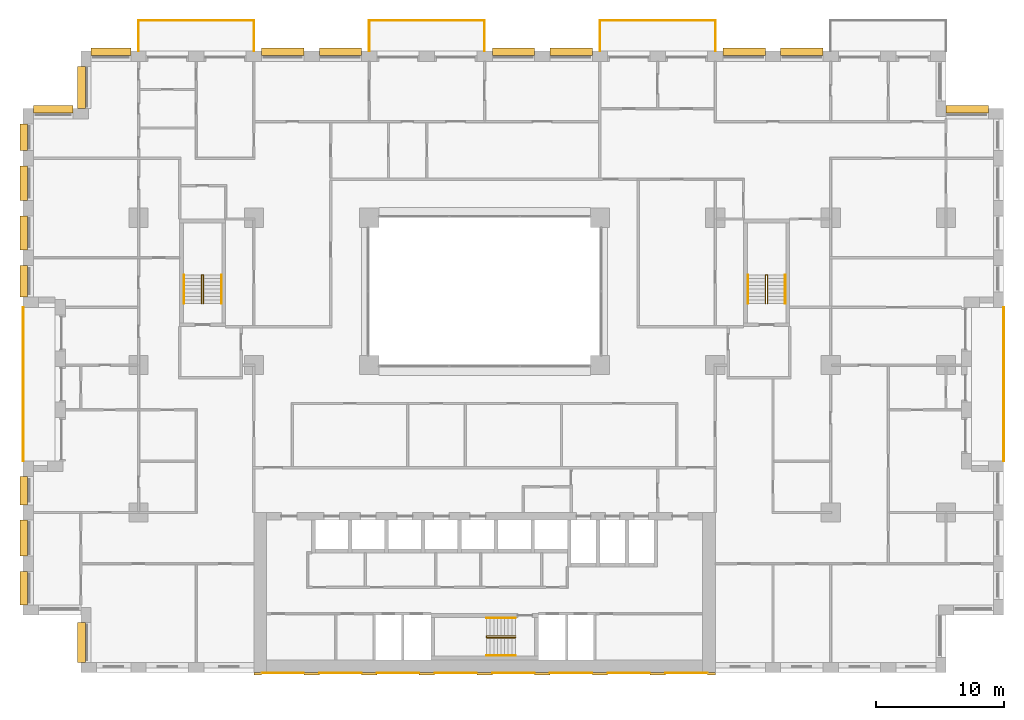
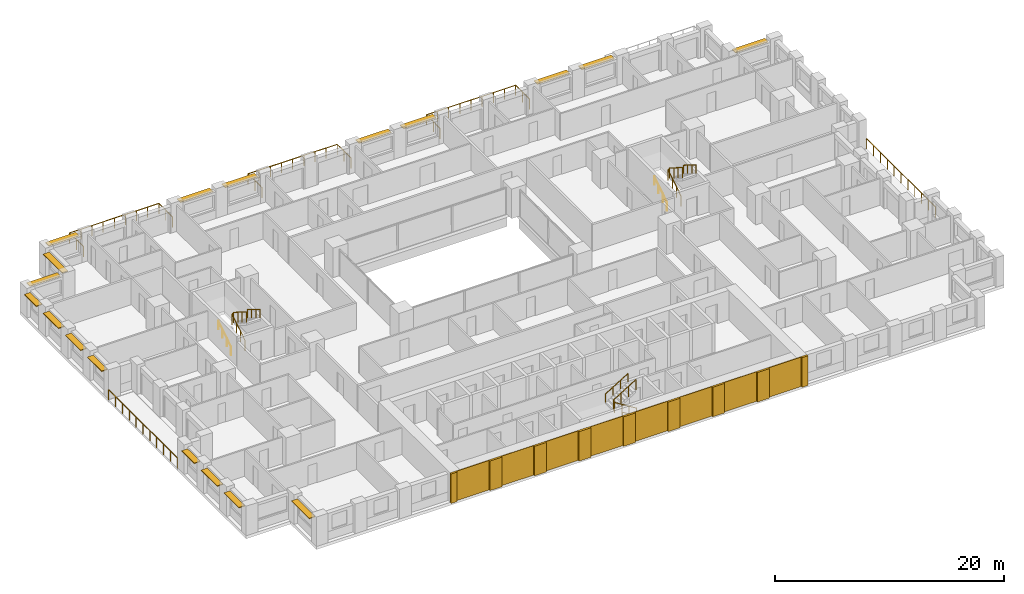
# One storey, part 19 of 20: 18 shading devices, 17 coverings, 14 railings.
"""IFC4 building model written with IfcOpenShell, lengths in metres."""

from ifc_helpers import new_model, si_unit, direction, frame, origin, origin_2d, place, context, subcontext, project, spatial, rectangle, circle, extrude, material, layer, layer_set, type_object, element, save


model = new_model("IFC4")

# Units and contexts
model_context = context("Model", 3, precision=1e-05, world=origin(), true_north=direction((0.0, 1.0)))
body_context = subcontext(model_context, "Body", "Model", "MODEL_VIEW")
ifc_project = project(units=[si_unit("LENGTHUNIT", "METRE"), si_unit("AREAUNIT", "SQUARE_METRE"), si_unit("VOLUMEUNIT", "CUBIC_METRE"), si_unit("PLANEANGLEUNIT", "RADIAN"), si_unit("MASSUNIT", "GRAM", prefix="KILO")], contexts=[model_context])

# Site, building, storey
site_placement = place(None, origin())
site = spatial("IfcSite", under=ifc_project, at=site_placement, CompositionType="ELEMENT")
building_placement = place(site_placement, origin())
building = spatial("IfcBuilding", under=site, at=building_placement, Name="Brigalow Station Residences", CompositionType="ELEMENT")
storey_placement = place(building_placement, frame((0.0, 0.0, 66.75)))
storey = spatial("IfcBuildingStorey", under=building, at=storey_placement, Name="L19", CompositionType="ELEMENT", Elevation=66.75)

# Railings
ifc_material_1 = material(Name="Stainless steel balustrade with laminated glass infill", Category="steel")
railing_type_1 = type_object("IfcRailingType", Name="BALCONY GUARD 1100", PredefinedType="GUARDRAIL", material=ifc_material_1)
railing_1_placement = place(storey_placement, frame((76.5, 16.5, -0.0400390625)))
element("IfcRailing", 1, at=railing_1_placement, inside=storey, type_object=railing_type_1, Name="L19/balcony-guard/1", PredefinedType="GUARDRAIL", context=body_context, shape_type="SweptSolid", body=[
    extrude(circle(Radius=0.02392578125, at=origin_2d()), frame((0.0, 0.0, 1.076171875), z_axis=(0.0, 1.0, 0.0), x_axis=(-1.0, 0.0, 0.0)), (0.0, 0.0, 1.0), 12.0),
    extrude(circle(Radius=0.02099609375, at=origin_2d()), origin(), (0.0, 0.0, 1.0), 1.052001953125),
    extrude(circle(Radius=0.02099609375, at=origin_2d()), frame((0.0, 1.199951171875, 0.0)), (0.0, 0.0, 1.0), 1.052001953125),
    extrude(circle(Radius=0.02099609375, at=origin_2d()), frame((0.0, 2.39990234375, 0.0)), (0.0, 0.0, 1.0), 1.052001953125),
    extrude(circle(Radius=0.02099609375, at=origin_2d()), frame((0.0, 3.60009765625, 0.0)), (0.0, 0.0, 1.0), 1.052001953125),
    extrude(circle(Radius=0.02099609375, at=origin_2d()), frame((0.0, 4.800048828125, 0.0)), (0.0, 0.0, 1.0), 1.052001953125),
    extrude(circle(Radius=0.02099609375, at=origin_2d()), frame((0.0, 6.0, 0.0)), (0.0, 0.0, 1.0), 1.052001953125),
    extrude(circle(Radius=0.02099609375, at=origin_2d()), frame((0.0, 7.199951171875, 0.0)), (0.0, 0.0, 1.0), 1.052001953125),
    extrude(circle(Radius=0.02099609375, at=origin_2d()), frame((0.0, 8.39990234375, 0.0)), (0.0, 0.0, 1.0), 1.052001953125),
    extrude(circle(Radius=0.02099609375, at=origin_2d()), frame((0.0, 9.60009765625, 0.0)), (0.0, 0.0, 1.0), 1.052001953125),
    extrude(circle(Radius=0.02099609375, at=origin_2d()), frame((0.0, 10.800048828125, 0.0)), (0.0, 0.0, 1.0), 1.052001953125),
    extrude(circle(Radius=0.02099609375, at=origin_2d()), frame((0.0, 12.0, 0.0)), (0.0, 0.0, 1.0), 1.052001953125),
])
railing_2_placement = place(storey_placement, frame((54.0, 48.5, -0.0400390625)))
element("IfcRailing", 2, at=railing_2_placement, inside=storey, type_object=railing_type_1, Name="L19/balcony-guard/3", PredefinedType="GUARDRAIL", context=body_context, shape_type="SweptSolid", body=[
    extrude(circle(Radius=0.02392578125, at=origin_2d()), frame((0.0, 0.0, 1.076171875), z_axis=(0.0, 1.0, 0.0), x_axis=(-1.0, 0.0, 0.0)), (0.0, 0.0, 1.0), 2.39990234375),
    extrude(circle(Radius=0.02392578125, at=origin_2d()), frame((0.0, 2.39990234375, 1.076171875), z_axis=(-1.0, 0.0, 0.0), x_axis=(0.0, -1.0, 0.0)), (0.0, 0.0, 1.0), 9.0),
    extrude(circle(Radius=0.02392578125, at=origin_2d()), frame((-9.0, 2.39990234375, 1.076171875), z_axis=(0.0, -1.0, 0.0), x_axis=(1.0, 0.0, 0.0)), (0.0, 0.0, 1.0), 2.39990234375),
    extrude(circle(Radius=0.02099609375, at=origin_2d()), origin(), (0.0, 0.0, 1.0), 1.052001953125),
    extrude(circle(Radius=0.02099609375, at=origin_2d()), frame((0.0, 1.199951171875, 0.0)), (0.0, 0.0, 1.0), 1.052001953125),
    extrude(circle(Radius=0.02099609375, at=origin_2d()), frame((0.0, 2.39990234375, 0.0)), (0.0, 0.0, 1.0), 1.052001953125),
    extrude(circle(Radius=0.02099609375, at=origin_2d()), frame((-1.125, 2.39990234375, 0.0)), (0.0, 0.0, 1.0), 1.052001953125),
    extrude(circle(Radius=0.02099609375, at=origin_2d()), frame((-2.25, 2.39990234375, 0.0)), (0.0, 0.0, 1.0), 1.052001953125),
    extrude(circle(Radius=0.02099609375, at=origin_2d()), frame((-3.375, 2.39990234375, 0.0)), (0.0, 0.0, 1.0), 1.052001953125),
    extrude(circle(Radius=0.02099609375, at=origin_2d()), frame((-4.5, 2.39990234375, 0.0)), (0.0, 0.0, 1.0), 1.052001953125),
    extrude(circle(Radius=0.02099609375, at=origin_2d()), frame((-5.625, 2.39990234375, 0.0)), (0.0, 0.0, 1.0), 1.052001953125),
    extrude(circle(Radius=0.02099609375, at=origin_2d()), frame((-6.75, 2.39990234375, 0.0)), (0.0, 0.0, 1.0), 1.052001953125),
    extrude(circle(Radius=0.02099609375, at=origin_2d()), frame((-7.875, 2.39990234375, 0.0)), (0.0, 0.0, 1.0), 1.052001953125),
    extrude(circle(Radius=0.02099609375, at=origin_2d()), frame((-9.0, 2.39990234375, 0.0)), (0.0, 0.0, 1.0), 1.052001953125),
    extrude(circle(Radius=0.02099609375, at=origin_2d()), frame((-9.0, 1.199951171875, 0.0)), (0.0, 0.0, 1.0), 1.052001953125),
    extrude(circle(Radius=0.02099609375, at=origin_2d()), frame((-9.0, 0.0, 0.0)), (0.0, 0.0, 1.0), 1.052001953125),
])
railing_3_placement = place(storey_placement, frame((36.0, 48.5, -0.0400390625)))
element("IfcRailing", 3, at=railing_3_placement, inside=storey, type_object=railing_type_1, Name="L19/balcony-guard/4", PredefinedType="GUARDRAIL", context=body_context, shape_type="SweptSolid", body=[
    extrude(circle(Radius=0.02392578125, at=origin_2d()), frame((0.0, 0.0, 1.076171875), z_axis=(0.0, 1.0, 0.0), x_axis=(-1.0, 0.0, 0.0)), (0.0, 0.0, 1.0), 2.39990234375),
    extrude(circle(Radius=0.02392578125, at=origin_2d()), frame((0.0, 2.39990234375, 1.076171875), z_axis=(-1.0, 0.0, 0.0), x_axis=(0.0, -1.0, 0.0)), (0.0, 0.0, 1.0), 9.0),
    extrude(circle(Radius=0.02392578125, at=origin_2d()), frame((-9.0, 2.39990234375, 1.076171875), z_axis=(0.0, -1.0, 0.0), x_axis=(1.0, 0.0, 0.0)), (0.0, 0.0, 1.0), 2.39990234375),
    extrude(circle(Radius=0.02099609375, at=origin_2d()), origin(), (0.0, 0.0, 1.0), 1.052001953125),
    extrude(circle(Radius=0.02099609375, at=origin_2d()), frame((0.0, 1.199951171875, 0.0)), (0.0, 0.0, 1.0), 1.052001953125),
    extrude(circle(Radius=0.02099609375, at=origin_2d()), frame((0.0, 2.39990234375, 0.0)), (0.0, 0.0, 1.0), 1.052001953125),
    extrude(circle(Radius=0.02099609375, at=origin_2d()), frame((-1.125, 2.39990234375, 0.0)), (0.0, 0.0, 1.0), 1.052001953125),
    extrude(circle(Radius=0.02099609375, at=origin_2d()), frame((-2.25, 2.39990234375, 0.0)), (0.0, 0.0, 1.0), 1.052001953125),
    extrude(circle(Radius=0.02099609375, at=origin_2d()), frame((-3.375, 2.39990234375, 0.0)), (0.0, 0.0, 1.0), 1.052001953125),
    extrude(circle(Radius=0.02099609375, at=origin_2d()), frame((-4.5, 2.39990234375, 0.0)), (0.0, 0.0, 1.0), 1.052001953125),
    extrude(circle(Radius=0.02099609375, at=origin_2d()), frame((-5.625, 2.39990234375, 0.0)), (0.0, 0.0, 1.0), 1.052001953125),
    extrude(circle(Radius=0.02099609375, at=origin_2d()), frame((-6.75, 2.39990234375, 0.0)), (0.0, 0.0, 1.0), 1.052001953125),
    extrude(circle(Radius=0.02099609375, at=origin_2d()), frame((-7.875, 2.39990234375, 0.0)), (0.0, 0.0, 1.0), 1.052001953125),
    extrude(circle(Radius=0.02099609375, at=origin_2d()), frame((-9.0, 2.39990234375, 0.0)), (0.0, 0.0, 1.0), 1.052001953125),
    extrude(circle(Radius=0.02099609375, at=origin_2d()), frame((-9.0, 1.199951171875, 0.0)), (0.0, 0.0, 1.0), 1.052001953125),
    extrude(circle(Radius=0.02099609375, at=origin_2d()), frame((-9.0, 0.0, 0.0)), (0.0, 0.0, 1.0), 1.052001953125),
])
railing_4_placement = place(storey_placement, frame((18.0, 48.5, -0.0400390625)))
element("IfcRailing", 4, at=railing_4_placement, inside=storey, type_object=railing_type_1, Name="L19/balcony-guard/5", PredefinedType="GUARDRAIL", context=body_context, shape_type="SweptSolid", body=[
    extrude(circle(Radius=0.02392578125, at=origin_2d()), frame((0.0, 0.0, 1.076171875), z_axis=(0.0, 1.0, 0.0), x_axis=(-1.0, 0.0, 0.0)), (0.0, 0.0, 1.0), 2.39990234375),
    extrude(circle(Radius=0.02392578125, at=origin_2d()), frame((0.0, 2.39990234375, 1.076171875), z_axis=(-1.0, 0.0, 0.0), x_axis=(0.0, -1.0, 0.0)), (0.0, 0.0, 1.0), 9.0),
    extrude(circle(Radius=0.02392578125, at=origin_2d()), frame((-9.0, 2.39990234375, 1.076171875), z_axis=(0.0, -1.0, 0.0), x_axis=(1.0, 0.0, 0.0)), (0.0, 0.0, 1.0), 2.39990234375),
    extrude(circle(Radius=0.02099609375, at=origin_2d()), origin(), (0.0, 0.0, 1.0), 1.052001953125),
    extrude(circle(Radius=0.02099609375, at=origin_2d()), frame((0.0, 1.199951171875, 0.0)), (0.0, 0.0, 1.0), 1.052001953125),
    extrude(circle(Radius=0.02099609375, at=origin_2d()), frame((0.0, 2.39990234375, 0.0)), (0.0, 0.0, 1.0), 1.052001953125),
    extrude(circle(Radius=0.02099609375, at=origin_2d()), frame((-1.125, 2.39990234375, 0.0)), (0.0, 0.0, 1.0), 1.052001953125),
    extrude(circle(Radius=0.02099609375, at=origin_2d()), frame((-2.25, 2.39990234375, 0.0)), (0.0, 0.0, 1.0), 1.052001953125),
    extrude(circle(Radius=0.02099609375, at=origin_2d()), frame((-3.375, 2.39990234375, 0.0)), (0.0, 0.0, 1.0), 1.052001953125),
    extrude(circle(Radius=0.02099609375, at=origin_2d()), frame((-4.5, 2.39990234375, 0.0)), (0.0, 0.0, 1.0), 1.052001953125),
    extrude(circle(Radius=0.02099609375, at=origin_2d()), frame((-5.625, 2.39990234375, 0.0)), (0.0, 0.0, 1.0), 1.052001953125),
    extrude(circle(Radius=0.02099609375, at=origin_2d()), frame((-6.75, 2.39990234375, 0.0)), (0.0, 0.0, 1.0), 1.052001953125),
    extrude(circle(Radius=0.02099609375, at=origin_2d()), frame((-7.875, 2.39990234375, 0.0)), (0.0, 0.0, 1.0), 1.052001953125),
    extrude(circle(Radius=0.02099609375, at=origin_2d()), frame((-9.0, 2.39990234375, 0.0)), (0.0, 0.0, 1.0), 1.052001953125),
    extrude(circle(Radius=0.02099609375, at=origin_2d()), frame((-9.0, 1.199951171875, 0.0)), (0.0, 0.0, 1.0), 1.052001953125),
    extrude(circle(Radius=0.02099609375, at=origin_2d()), frame((-9.0, 0.0, 0.0)), (0.0, 0.0, 1.0), 1.052001953125),
])
railing_5_placement = place(storey_placement, frame((0.0, 28.5, -0.0400390625)))
element("IfcRailing", 5, at=railing_5_placement, inside=storey, type_object=railing_type_1, Name="L19/balcony-guard/6", PredefinedType="GUARDRAIL", context=body_context, shape_type="SweptSolid", body=[
    extrude(circle(Radius=0.02392578125, at=origin_2d()), frame((0.0, 0.0, 1.076171875), z_axis=(0.0, -1.0, 0.0), x_axis=(1.0, 0.0, 0.0)), (0.0, 0.0, 1.0), 12.0),
    extrude(circle(Radius=0.02099609375, at=origin_2d()), origin(), (0.0, 0.0, 1.0), 1.052001953125),
    extrude(circle(Radius=0.02099609375, at=origin_2d()), frame((0.0, -1.199951171875, 0.0)), (0.0, 0.0, 1.0), 1.052001953125),
    extrude(circle(Radius=0.02099609375, at=origin_2d()), frame((0.0, -2.39990234375, 0.0)), (0.0, 0.0, 1.0), 1.052001953125),
    extrude(circle(Radius=0.02099609375, at=origin_2d()), frame((0.0, -3.60009765625, 0.0)), (0.0, 0.0, 1.0), 1.052001953125),
    extrude(circle(Radius=0.02099609375, at=origin_2d()), frame((0.0, -4.800048828125, 0.0)), (0.0, 0.0, 1.0), 1.052001953125),
    extrude(circle(Radius=0.02099609375, at=origin_2d()), frame((0.0, -6.0, 0.0)), (0.0, 0.0, 1.0), 1.052001953125),
    extrude(circle(Radius=0.02099609375, at=origin_2d()), frame((0.0, -7.199951171875, 0.0)), (0.0, 0.0, 1.0), 1.052001953125),
    extrude(circle(Radius=0.02099609375, at=origin_2d()), frame((0.0, -8.39990234375, 0.0)), (0.0, 0.0, 1.0), 1.052001953125),
    extrude(circle(Radius=0.02099609375, at=origin_2d()), frame((0.0, -9.60009765625, 0.0)), (0.0, 0.0, 1.0), 1.052001953125),
    extrude(circle(Radius=0.02099609375, at=origin_2d()), frame((0.0, -10.800048828125, 0.0)), (0.0, 0.0, 1.0), 1.052001953125),
    extrude(circle(Radius=0.02099609375, at=origin_2d()), frame((0.0, -12.0, 0.0)), (0.0, 0.0, 1.0), 1.052001953125),
])

# Coverings
ifc_material_2 = material(Name="Clay brick masonry", Category="masonry")
ifc_layer_1 = layer(ifc_material_2, 0.06005859375)
ifc_layer_set_1 = layer_set([ifc_layer_1], Name="BRICK PANEL FACING 60")
covering_type_1 = type_object("IfcCoveringType", Name="BRICK PANEL FACING 60", PredefinedType="CLADDING", material=ifc_layer_set_1)
for number, where, z_axis, x_axis, name in (
    (6, (20.25, -0.030029296875, 0.0), (0.0, 0.0, 1.0), (1.0, 0.0, 0.0), "L19/rear-facing/panel-1"),
    (7, (24.75, -0.030029296875, 0.0), (0.0, 0.0, 1.0), (1.0, 0.0, 0.0), "L19/rear-facing/panel-2"),
    (8, (29.25, -0.030029296875, 0.0), (0.0, 0.0, 1.0), (1.0, 0.0, 0.0), "L19/rear-facing/panel-3"),
    (9, (33.75, -0.030029296875, 0.0), (0.0, 0.0, 1.0), (1.0, 0.0, 0.0), "L19/rear-facing/panel-4"),
    (10, (38.25, -0.030029296875, 0.0), (0.0, 0.0, 1.0), (1.0, 0.0, 0.0), "L19/rear-facing/panel-5"),
    (11, (42.75, -0.030029296875, 0.0), (0.0, 0.0, 1.0), (1.0, 0.0, 0.0), "L19/rear-facing/panel-6"),
    (12, (47.25, -0.030029296875, 0.0), (0.0, 0.0, 1.0), (1.0, 0.0, 0.0), "L19/rear-facing/panel-7"),
    (13, (51.75, -0.030029296875, 0.0), (0.0, 0.0, 1.0), (1.0, 0.0, 0.0), "L19/rear-facing/panel-8"),
):
    element("IfcCovering", number, at=place(storey_placement, frame(where, z_axis=z_axis, x_axis=x_axis)), inside=storey, type_object=covering_type_1, Name=name, PredefinedType="CLADDING", context=body_context, shape_type="SweptSolid", body=[
        extrude(rectangle(XDim=3.300048828125, YDim=0.06005859375, at=origin_2d()), origin(), (0.0, 0.0, 1.0), 3.14990234375),
    ])
ifc_material_3 = material(Name="Clay brick masonry", Category="masonry")
ifc_layer_2 = layer(ifc_material_3, 0.199951171875)
ifc_layer_set_2 = layer_set([ifc_layer_2], Name="BRICK PIER FACING 200")
covering_type_2 = type_object("IfcCoveringType", Name="BRICK PIER FACING 200", PredefinedType="CLADDING", material=ifc_layer_set_2)
covering_1_placement = place(storey_placement, frame((18.300048828125, -0.10009765625, 0.0), z_axis=(0.0, 0.0, 1.0), x_axis=(1.0, 0.0, 0.0)))
element("IfcCovering", 14, at=covering_1_placement, inside=storey, type_object=covering_type_2, Name="L19/rear-facing/pier-1", PredefinedType="CLADDING", context=body_context, shape_type="SweptSolid", body=[
    extrude(rectangle(XDim=0.60009765625, YDim=0.199951171875, at=origin_2d()), origin(), (0.0, 0.0, 1.0), 3.14990234375),
])
for number, where, z_axis, x_axis, name in (
    (15, (22.5, -0.10009765625, 0.0), (0.0, 0.0, 1.0), (1.0, 0.0, 0.0), "L19/rear-facing/pier-2"),
    (16, (27.0, -0.10009765625, 0.0), (0.0, 0.0, 1.0), (1.0, 0.0, 0.0), "L19/rear-facing/pier-3"),
    (17, (31.5, -0.10009765625, 0.0), (0.0, 0.0, 1.0), (1.0, 0.0, 0.0), "L19/rear-facing/pier-4"),
    (18, (36.0, -0.10009765625, 0.0), (0.0, 0.0, 1.0), (1.0, 0.0, 0.0), "L19/rear-facing/pier-5"),
    (19, (40.5, -0.10009765625, 0.0), (0.0, 0.0, 1.0), (1.0, 0.0, 0.0), "L19/rear-facing/pier-6"),
    (20, (45.0, -0.10009765625, 0.0), (0.0, 0.0, 1.0), (1.0, 0.0, 0.0), "L19/rear-facing/pier-7"),
    (21, (49.5, -0.10009765625, 0.0), (0.0, 0.0, 1.0), (1.0, 0.0, 0.0), "L19/rear-facing/pier-8"),
):
    element("IfcCovering", number, at=place(storey_placement, frame(where, z_axis=z_axis, x_axis=x_axis)), inside=storey, type_object=covering_type_2, Name=name, PredefinedType="CLADDING", context=body_context, shape_type="SweptSolid", body=[
        extrude(rectangle(XDim=1.199951171875, YDim=0.199951171875, at=origin_2d()), origin(), (0.0, 0.0, 1.0), 3.14990234375),
    ])
covering_2_placement = place(storey_placement, frame((53.699951171875, -0.10009765625, 0.0), z_axis=(0.0, 0.0, 1.0), x_axis=(1.0, 0.0, 0.0)))
element("IfcCovering", 22, at=covering_2_placement, inside=storey, type_object=covering_type_2, Name="L19/rear-facing/pier-9", PredefinedType="CLADDING", context=body_context, shape_type="SweptSolid", body=[
    extrude(rectangle(XDim=0.60009765625, YDim=0.199951171875, at=origin_2d()), origin(), (0.0, 0.0, 1.0), 3.14990234375),
])

# Railings
ifc_material_4 = material(Name="Stainless steel balustrade", Category="steel")
railing_type_2 = type_object("IfcRailingType", Name="STAIR GUARD 1100", PredefinedType="GUARDRAIL", material=ifc_material_4)
railing_6_placement = place(storey_placement, frame((38.39990234375, 2.72998046875, 0.175048828125)))
element("IfcRailing", 23, at=railing_6_placement, inside=storey, type_object=railing_type_2, Name="GUARD GR-2", PredefinedType="GUARDRAIL", context=body_context, shape_type="SweptSolid", body=[
    extrude(circle(Radius=0.02392578125, at=origin_2d()), frame((0.0, 0.0, 1.076171875), z_axis=(-0.848013881152, 0.0, 0.529974015752), x_axis=(0.0, -1.0, 0.0)), (0.0, 0.0, 1.0), 2.641357421875),
    extrude(circle(Radius=0.02392578125, at=origin_2d()), frame((-2.239990234375, 0.0, 2.47607421875), z_axis=(0.0, 0.624960567888, 0.780656319122), x_axis=(-1.0, 0.0, 0.0)), (0.0, 0.0, 1.0), 0.22412109375),
    extrude(circle(Radius=0.02392578125, at=origin_2d()), frame((-2.239990234375, 0.14013671875, 2.65087890625), z_axis=(0.848013881152, 0.0, 0.529974015752), x_axis=(0.0, 1.0, 0.0)), (0.0, 0.0, 1.0), 2.641357421875),
    extrude(circle(Radius=0.02099609375, at=origin_2d()), origin(), (0.0, 0.0, 1.0), 1.052001953125),
    extrude(circle(Radius=0.02099609375, at=origin_2d()), frame((-0.74658203125, 0.0, 0.466552734375)), (0.0, 0.0, 1.0), 1.052001953125),
    extrude(circle(Radius=0.02099609375, at=origin_2d()), frame((-1.493408203125, 0.0, 0.933349609375)), (0.0, 0.0, 1.0), 1.052001953125),
    extrude(circle(Radius=0.02099609375, at=origin_2d()), frame((-2.239990234375, 0.0, 1.39990234375)), (0.0, 0.0, 1.0), 1.052001953125),
    extrude(circle(Radius=0.02099609375, at=origin_2d()), frame((-2.239990234375, 0.14013671875, 1.574951171875)), (0.0, 0.0, 1.0), 1.052001953125),
    extrude(circle(Radius=0.02099609375, at=origin_2d()), frame((-1.493408203125, 0.14013671875, 2.04150390625)), (0.0, 0.0, 1.0), 1.052001953125),
    extrude(circle(Radius=0.02099609375, at=origin_2d()), frame((-0.74658203125, 0.14013671875, 2.50830078125)), (0.0, 0.0, 1.0), 1.052001953125),
    extrude(circle(Radius=0.02099609375, at=origin_2d()), frame((0.0, 0.14013671875, 2.974853515625)), (0.0, 0.0, 1.0), 1.052001953125),
])
for number, where, name in (
    (24, (13.929931640625, 28.800048828125, 0.175048828125), "GUARD GR-1"),
    (25, (57.929931640625, 28.800048828125, 0.175048828125), "GUARD GR-3"),
):
    element("IfcRailing", number, at=place(storey_placement, frame(where)), inside=storey, type_object=railing_type_2, Name=name, PredefinedType="GUARDRAIL", context=body_context, shape_type="SweptSolid", body=[
        extrude(circle(Radius=0.02392578125, at=origin_2d()), frame((0.0, 0.0, 1.076171875), z_axis=(0.0, 0.848013881152, 0.529974015752), x_axis=(-1.0, 0.0, 0.0)), (0.0, 0.0, 1.0), 2.641357421875),
        extrude(circle(Radius=0.02392578125, at=origin_2d()), frame((0.0, 2.239990234375, 2.47607421875), z_axis=(0.624960567888, 0.0, 0.780656319122), x_axis=(0.0, 1.0, 0.0)), (0.0, 0.0, 1.0), 0.22412109375),
        extrude(circle(Radius=0.02392578125, at=origin_2d()), frame((0.14013671875, 2.239990234375, 2.65087890625), z_axis=(0.0, -0.848013881152, 0.529974015752), x_axis=(1.0, 0.0, 0.0)), (0.0, 0.0, 1.0), 2.641357421875),
        extrude(circle(Radius=0.02099609375, at=origin_2d()), origin(), (0.0, 0.0, 1.0), 1.052001953125),
        extrude(circle(Radius=0.02099609375, at=origin_2d()), frame((0.0, 0.74658203125, 0.466552734375)), (0.0, 0.0, 1.0), 1.052001953125),
        extrude(circle(Radius=0.02099609375, at=origin_2d()), frame((0.0, 1.493408203125, 0.933349609375)), (0.0, 0.0, 1.0), 1.052001953125),
        extrude(circle(Radius=0.02099609375, at=origin_2d()), frame((0.0, 2.239990234375, 1.39990234375)), (0.0, 0.0, 1.0), 1.052001953125),
        extrude(circle(Radius=0.02099609375, at=origin_2d()), frame((0.14013671875, 2.239990234375, 1.574951171875)), (0.0, 0.0, 1.0), 1.052001953125),
        extrude(circle(Radius=0.02099609375, at=origin_2d()), frame((0.14013671875, 1.493408203125, 2.04150390625)), (0.0, 0.0, 1.0), 1.052001953125),
        extrude(circle(Radius=0.02099609375, at=origin_2d()), frame((0.14013671875, 0.74658203125, 2.50830078125)), (0.0, 0.0, 1.0), 1.052001953125),
        extrude(circle(Radius=0.02099609375, at=origin_2d()), frame((0.14013671875, 0.0, 2.974853515625)), (0.0, 0.0, 1.0), 1.052001953125),
    ])
ifc_material_5 = material(Name="Stainless steel handrail", Category="steel")
railing_type_3 = type_object("IfcRailingType", Name="STAIR HANDRAIL 900", PredefinedType="HANDRAIL", material=ifc_material_5)
railing_7_placement = place(storey_placement, frame((38.39990234375, 1.340087890625, 0.175048828125)))
element("IfcRailing", 26, at=railing_7_placement, inside=storey, type_object=railing_type_3, Name="HANDRAIL HR-21", PredefinedType="HANDRAIL", context=body_context, shape_type="SweptSolid", body=[
    extrude(circle(Radius=0.02392578125, at=origin_2d()), frame((0.0, 0.0, 0.8759765625), z_axis=(-0.848013881152, 0.0, 0.529974015752), x_axis=(0.0, -1.0, 0.0)), (0.0, 0.0, 1.0), 2.641357421875),
    extrude(circle(Radius=0.02099609375, at=origin_2d()), origin(), (0.0, 0.0, 1.0), 0.851806640625),
    extrude(circle(Radius=0.02099609375, at=origin_2d()), frame((-0.74658203125, 0.0, 0.466552734375)), (0.0, 0.0, 1.0), 0.851806640625),
    extrude(circle(Radius=0.02099609375, at=origin_2d()), frame((-1.493408203125, 0.0, 0.933349609375)), (0.0, 0.0, 1.0), 0.851806640625),
    extrude(circle(Radius=0.02099609375, at=origin_2d()), frame((-2.239990234375, 0.0, 1.39990234375)), (0.0, 0.0, 1.0), 0.851806640625),
])
railing_8_placement = place(storey_placement, frame((36.159912109375, 4.260009765625, 1.75)))
element("IfcRailing", 27, at=railing_8_placement, inside=storey, type_object=railing_type_3, Name="HANDRAIL HR-22", PredefinedType="HANDRAIL", context=body_context, shape_type="SweptSolid", body=[
    extrude(circle(Radius=0.02392578125, at=origin_2d()), frame((0.0, 0.0, 0.8759765625), z_axis=(0.848013881152, 0.0, 0.529974015752), x_axis=(0.0, 1.0, 0.0)), (0.0, 0.0, 1.0), 2.641357421875),
    extrude(circle(Radius=0.02099609375, at=origin_2d()), origin(), (0.0, 0.0, 1.0), 0.851806640625),
    extrude(circle(Radius=0.02099609375, at=origin_2d()), frame((0.74658203125, 0.0, 0.466552734375)), (0.0, 0.0, 1.0), 0.851806640625),
    extrude(circle(Radius=0.02099609375, at=origin_2d()), frame((1.493408203125, 0.0, 0.933349609375)), (0.0, 0.0, 1.0), 0.851806640625),
    extrude(circle(Radius=0.02099609375, at=origin_2d()), frame((2.239990234375, 0.0, 1.39990234375)), (0.0, 0.0, 1.0), 0.851806640625),
])
railing_9_placement = place(storey_placement, frame((12.5400390625, 28.800048828125, 0.175048828125)))
element("IfcRailing", 28, at=railing_9_placement, inside=storey, type_object=railing_type_3, Name="HANDRAIL HR-11", PredefinedType="HANDRAIL", context=body_context, shape_type="SweptSolid", body=[
    extrude(circle(Radius=0.02392578125, at=origin_2d()), frame((0.0, 0.0, 0.8759765625), z_axis=(0.0, 0.848013881152, 0.529974015752), x_axis=(-1.0, 0.0, 0.0)), (0.0, 0.0, 1.0), 2.641357421875),
    extrude(circle(Radius=0.02099609375, at=origin_2d()), origin(), (0.0, 0.0, 1.0), 0.851806640625),
    extrude(circle(Radius=0.02099609375, at=origin_2d()), frame((0.0, 0.74658203125, 0.466552734375)), (0.0, 0.0, 1.0), 0.851806640625),
    extrude(circle(Radius=0.02099609375, at=origin_2d()), frame((0.0, 1.493408203125, 0.933349609375)), (0.0, 0.0, 1.0), 0.851806640625),
    extrude(circle(Radius=0.02099609375, at=origin_2d()), frame((0.0, 2.239990234375, 1.39990234375)), (0.0, 0.0, 1.0), 0.851806640625),
])
railing_10_placement = place(storey_placement, frame((15.4599609375, 31.0400390625, 1.75)))
element("IfcRailing", 29, at=railing_10_placement, inside=storey, type_object=railing_type_3, Name="HANDRAIL HR-12", PredefinedType="HANDRAIL", context=body_context, shape_type="SweptSolid", body=[
    extrude(circle(Radius=0.02392578125, at=origin_2d()), frame((0.0, 0.0, 0.8759765625), z_axis=(0.0, -0.848013881152, 0.529974015752), x_axis=(1.0, 0.0, 0.0)), (0.0, 0.0, 1.0), 2.641357421875),
    extrude(circle(Radius=0.02099609375, at=origin_2d()), origin(), (0.0, 0.0, 1.0), 0.851806640625),
    extrude(circle(Radius=0.02099609375, at=origin_2d()), frame((0.0, -0.74658203125, 0.466552734375)), (0.0, 0.0, 1.0), 0.851806640625),
    extrude(circle(Radius=0.02099609375, at=origin_2d()), frame((0.0, -1.493408203125, 0.933349609375)), (0.0, 0.0, 1.0), 0.851806640625),
    extrude(circle(Radius=0.02099609375, at=origin_2d()), frame((0.0, -2.239990234375, 1.39990234375)), (0.0, 0.0, 1.0), 0.851806640625),
])
railing_11_placement = place(storey_placement, frame((56.5400390625, 28.800048828125, 0.175048828125)))
element("IfcRailing", 30, at=railing_11_placement, inside=storey, type_object=railing_type_3, Name="HANDRAIL HR-31", PredefinedType="HANDRAIL", context=body_context, shape_type="SweptSolid", body=[
    extrude(circle(Radius=0.02392578125, at=origin_2d()), frame((0.0, 0.0, 0.8759765625), z_axis=(0.0, 0.848013881152, 0.529974015752), x_axis=(-1.0, 0.0, 0.0)), (0.0, 0.0, 1.0), 2.641357421875),
    extrude(circle(Radius=0.02099609375, at=origin_2d()), origin(), (0.0, 0.0, 1.0), 0.851806640625),
    extrude(circle(Radius=0.02099609375, at=origin_2d()), frame((0.0, 0.74658203125, 0.466552734375)), (0.0, 0.0, 1.0), 0.851806640625),
    extrude(circle(Radius=0.02099609375, at=origin_2d()), frame((0.0, 1.493408203125, 0.933349609375)), (0.0, 0.0, 1.0), 0.851806640625),
    extrude(circle(Radius=0.02099609375, at=origin_2d()), frame((0.0, 2.239990234375, 1.39990234375)), (0.0, 0.0, 1.0), 0.851806640625),
])
railing_12_placement = place(storey_placement, frame((59.4599609375, 31.0400390625, 1.75)))
element("IfcRailing", 31, at=railing_12_placement, inside=storey, type_object=railing_type_3, Name="HANDRAIL HR-32", PredefinedType="HANDRAIL", context=body_context, shape_type="SweptSolid", body=[
    extrude(circle(Radius=0.02392578125, at=origin_2d()), frame((0.0, 0.0, 0.8759765625), z_axis=(0.0, -0.848013881152, 0.529974015752), x_axis=(1.0, 0.0, 0.0)), (0.0, 0.0, 1.0), 2.641357421875),
    extrude(circle(Radius=0.02099609375, at=origin_2d()), origin(), (0.0, 0.0, 1.0), 0.851806640625),
    extrude(circle(Radius=0.02099609375, at=origin_2d()), frame((0.0, -0.74658203125, 0.466552734375)), (0.0, 0.0, 1.0), 0.851806640625),
    extrude(circle(Radius=0.02099609375, at=origin_2d()), frame((0.0, -1.493408203125, 0.933349609375)), (0.0, 0.0, 1.0), 0.851806640625),
    extrude(circle(Radius=0.02099609375, at=origin_2d()), frame((0.0, -2.239990234375, 1.39990234375)), (0.0, 0.0, 1.0), 0.851806640625),
])

# Shading devices
ifc_material_6 = material(Name="Powder-coated extruded aluminium blade", Category="aluminium")
ifc_layer_3 = layer(ifc_material_6, 0.080078125)
ifc_layer_set_3 = layer_set([ifc_layer_3], Name="SUNSHADE BLADE 600x80")
shading_device_type = type_object("IfcShadingDeviceType", Name="SUNSHADE BLADE 600x80", PredefinedType="JALOUSIE", material=ifc_layer_set_3)
for number, where, z_axis, x_axis, name in (
    (32, (73.64990234375, 43.949951171875, 2.550048828125), (0.0, 0.0, 1.0), (-1.0, 0.0, 0.0), "L19/blade/W-L19-23"),
    (33, (60.75, 48.449951171875, 2.550048828125), (0.0, 0.0, 1.0), (-1.0, 0.0, 0.0), "L19/blade/W-L19-27"),
    (34, (56.25, 48.449951171875, 2.550048828125), (0.0, 0.0, 1.0), (-1.0, 0.0, 0.0), "L19/blade/W-L19-28"),
    (35, (42.75, 48.449951171875, 2.550048828125), (0.0, 0.0, 1.0), (-1.0, 0.0, 0.0), "L19/blade/W-L19-31"),
    (36, (38.25, 48.449951171875, 2.550048828125), (0.0, 0.0, 1.0), (-1.0, 0.0, 0.0), "L19/blade/W-L19-32"),
    (37, (24.75, 48.449951171875, 2.550048828125), (0.0, 0.0, 1.0), (-1.0, 0.0, 0.0), "L19/blade/W-L19-35"),
    (38, (20.25, 48.449951171875, 2.550048828125), (0.0, 0.0, 1.0), (-1.0, 0.0, 0.0), "L19/blade/W-L19-36"),
):
    element("IfcShadingDevice", number, at=place(storey_placement, frame(where, z_axis=z_axis, x_axis=x_axis)), inside=storey, type_object=shading_device_type, Name=name, PredefinedType="JALOUSIE", context=body_context, shape_type="SweptSolid", body=[
        extrude(rectangle(XDim=3.300048828125, YDim=0.60009765625, at=origin_2d()), origin(), (0.0, 0.0, 1.0), 0.080078125),
    ])
shading_device_1_placement = place(storey_placement, frame((6.85009765625, 48.449951171875, 2.550048828125), z_axis=(0.0, 0.0, 1.0), x_axis=(-1.0, 0.0, 0.0)))
element("IfcShadingDevice", 39, at=shading_device_1_placement, inside=storey, type_object=shading_device_type, Name="L19/blade/W-L19-39", PredefinedType="JALOUSIE", context=body_context, shape_type="SweptSolid", body=[
    extrude(rectangle(XDim=3.10009765625, YDim=0.60009765625, at=origin_2d()), origin(), (0.0, 0.0, 1.0), 0.080078125),
])
shading_device_2_placement = place(storey_placement, frame((4.550048828125, 45.64990234375, 2.550048828125), z_axis=(0.0, 0.0, 1.0), x_axis=(0.0, -1.0, 0.0)))
element("IfcShadingDevice", 40, at=shading_device_2_placement, inside=storey, type_object=shading_device_type, Name="L19/blade/W-L19-40", PredefinedType="JALOUSIE", context=body_context, shape_type="SweptSolid", body=[
    extrude(rectangle(XDim=3.300048828125, YDim=0.60009765625, at=origin_2d()), origin(), (0.0, 0.0, 1.0), 0.080078125),
])
shading_device_3_placement = place(storey_placement, frame((2.35009765625, 43.949951171875, 2.550048828125), z_axis=(0.0, 0.0, 1.0), x_axis=(-1.0, 0.0, 0.0)))
element("IfcShadingDevice", 41, at=shading_device_3_placement, inside=storey, type_object=shading_device_type, Name="L19/blade/W-L19-41", PredefinedType="JALOUSIE", context=body_context, shape_type="SweptSolid", body=[
    extrude(rectangle(XDim=3.10009765625, YDim=0.60009765625, at=origin_2d()), origin(), (0.0, 0.0, 1.0), 0.080078125),
])
shading_device_4_placement = place(storey_placement, frame((0.050048828125, 41.762451171875, 2.550048828125), z_axis=(0.0, 0.0, 1.0), x_axis=(0.0, -1.0, 0.0)))
element("IfcShadingDevice", 42, at=shading_device_4_placement, inside=storey, type_object=shading_device_type, Name="L19/blade/W-L19-42", PredefinedType="JALOUSIE", context=body_context, shape_type="SweptSolid", body=[
    extrude(rectangle(XDim=2.074951171875, YDim=0.60009765625, at=origin_2d()), origin(), (0.0, 0.0, 1.0), 0.080078125),
])
for number, where, z_axis, x_axis, name in (
    (43, (0.050048828125, 38.1875, 2.550048828125), (0.0, 0.0, 1.0), (0.0, -1.0, 0.0), "L19/blade/W-L19-43"),
    (44, (0.050048828125, 34.3125, 2.550048828125), (0.0, 0.0, 1.0), (0.0, -1.0, 0.0), "L19/blade/W-L19-44"),
):
    element("IfcShadingDevice", number, at=place(storey_placement, frame(where, z_axis=z_axis, x_axis=x_axis)), inside=storey, type_object=shading_device_type, Name=name, PredefinedType="JALOUSIE", context=body_context, shape_type="SweptSolid", body=[
        extrude(rectangle(XDim=2.675048828125, YDim=0.60009765625, at=origin_2d()), origin(), (0.0, 0.0, 1.0), 0.080078125),
    ])
shading_device_5_placement = place(storey_placement, frame((0.050048828125, 30.53759765625, 2.550048828125), z_axis=(0.0, 0.0, 1.0), x_axis=(0.0, -1.0, 0.0)))
element("IfcShadingDevice", 45, at=shading_device_5_placement, inside=storey, type_object=shading_device_type, Name="L19/blade/W-L19-45", PredefinedType="JALOUSIE", context=body_context, shape_type="SweptSolid", body=[
    extrude(rectangle(XDim=2.47509765625, YDim=0.60009765625, at=origin_2d()), origin(), (0.0, 0.0, 1.0), 0.080078125),
])
shading_device_6_placement = place(storey_placement, frame((0.050048828125, 14.199951171875, 2.550048828125), z_axis=(0.0, 0.0, 1.0), x_axis=(0.0, -1.0, 0.0)))
element("IfcShadingDevice", 46, at=shading_device_6_placement, inside=storey, type_object=shading_device_type, Name="L19/blade/W-L19-51", PredefinedType="JALOUSIE", context=body_context, shape_type="SweptSolid", body=[
    extrude(rectangle(XDim=2.199951171875, YDim=0.60009765625, at=origin_2d()), origin(), (0.0, 0.0, 1.0), 0.080078125),
])
shading_device_7_placement = place(storey_placement, frame((0.050048828125, 10.5, 2.550048828125), z_axis=(0.0, 0.0, 1.0), x_axis=(0.0, -1.0, 0.0)))
element("IfcShadingDevice", 47, at=shading_device_7_placement, inside=storey, type_object=shading_device_type, Name="L19/blade/W-L19-52", PredefinedType="JALOUSIE", context=body_context, shape_type="SweptSolid", body=[
    extrude(rectangle(XDim=2.800048828125, YDim=0.60009765625, at=origin_2d()), origin(), (0.0, 0.0, 1.0), 0.080078125),
])
shading_device_8_placement = place(storey_placement, frame((0.050048828125, 6.60009765625, 2.550048828125), z_axis=(0.0, 0.0, 1.0), x_axis=(0.0, -1.0, 0.0)))
element("IfcShadingDevice", 48, at=shading_device_8_placement, inside=storey, type_object=shading_device_type, Name="L19/blade/W-L19-53", PredefinedType="JALOUSIE", context=body_context, shape_type="SweptSolid", body=[
    extrude(rectangle(XDim=2.60009765625, YDim=0.60009765625, at=origin_2d()), origin(), (0.0, 0.0, 1.0), 0.080078125),
])
shading_device_9_placement = place(storey_placement, frame((4.550048828125, 2.35009765625, 2.550048828125), z_axis=(0.0, 0.0, 1.0), x_axis=(0.0, -1.0, 0.0)))
element("IfcShadingDevice", 49, at=shading_device_9_placement, inside=storey, type_object=shading_device_type, Name="L19/blade/W-L19-55", PredefinedType="JALOUSIE", context=body_context, shape_type="SweptSolid", body=[
    extrude(rectangle(XDim=3.10009765625, YDim=0.60009765625, at=origin_2d()), origin(), (0.0, 0.0, 1.0), 0.080078125),
])

save(model, "model.ifc")
